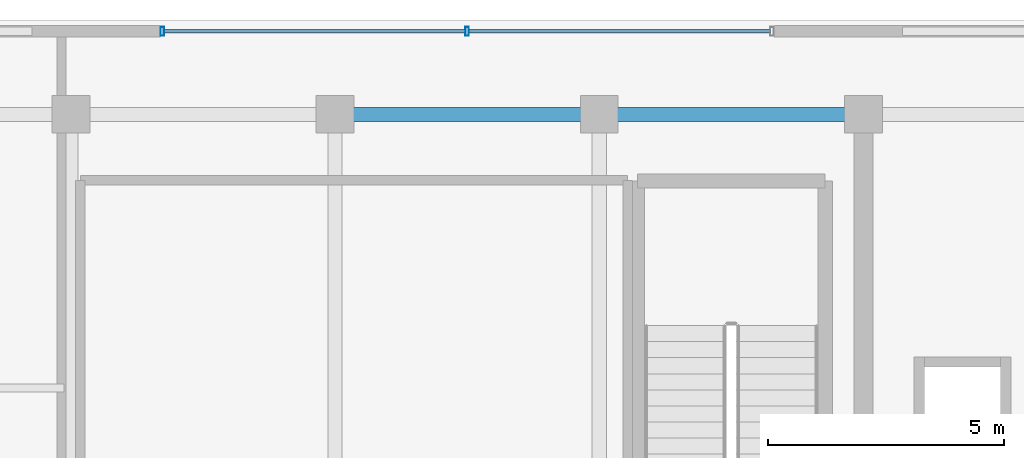
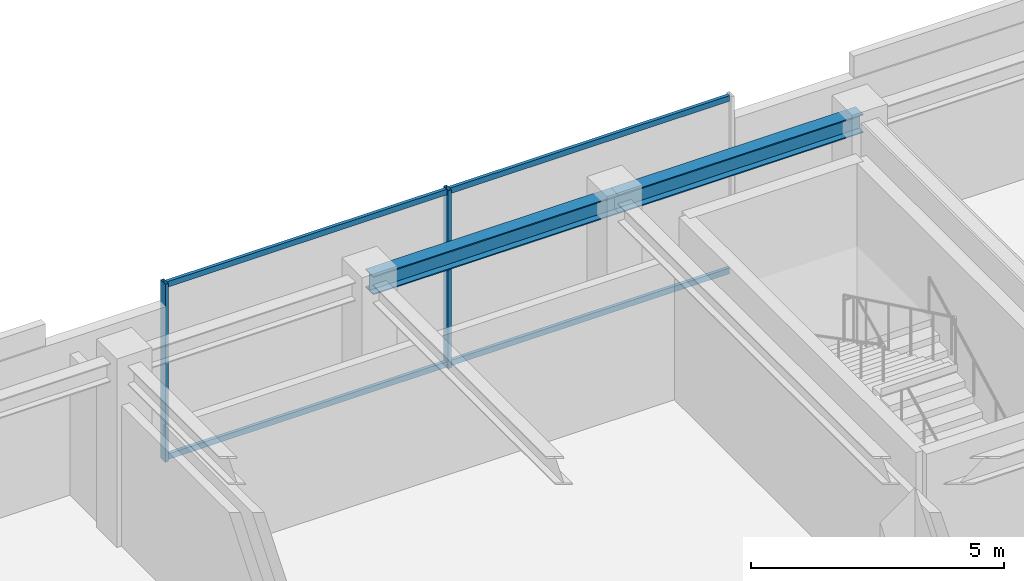
# One storey, part 12 of 18: 6 members, 2 beams, 1 element without a shape of its own.
"""IFC4 building model written with IfcOpenShell, lengths in metres."""

from ifc_helpers import new_model, si_unit, direction, frame, origin, origin_2d, place, context, subcontext, project, spatial, hollow_rectangle, i_section, extrude, source, transform, mapped, material, material_profile, profile_set, type_object, element, aggregate, save


model = new_model("IFC4")

# Units and contexts
model_context = context("Model", 3, precision=1e-05, world=origin(), true_north=direction((0.0, 1.0)))
body_context = subcontext(model_context, "Body", "Model", "MODEL_VIEW")
ifc_project = project(units=[si_unit("LENGTHUNIT", "METRE"), si_unit("AREAUNIT", "SQUARE_METRE"), si_unit("VOLUMEUNIT", "CUBIC_METRE"), si_unit("PLANEANGLEUNIT", "RADIAN"), si_unit("MASSUNIT", "GRAM", prefix="KILO")], contexts=[model_context])

# Site, building, storey
site_placement = place(None, origin())
site = spatial("IfcSite", under=ifc_project, at=site_placement, CompositionType="ELEMENT")
building_placement = place(site_placement, origin())
building = spatial("IfcBuilding", under=site, at=building_placement, Name="Nahalor Promenade Grand Hotel", CompositionType="ELEMENT")
storey_placement = place(building_placement, frame((0.0, 0.0, 361.64990234375)))
storey = spatial("IfcBuildingStorey", under=building, at=storey_placement, Name="L92", CompositionType="ELEMENT", Elevation=361.64990234375)

# Beams
ifc_material_1 = material(Name="Steel S355JR", Category="steel")
ifc_material_profile_1 = material_profile(ifc_material_1, i_section(OverallWidth=0.3, OverallDepth=0.45, WebThickness=0.014, FlangeThickness=0.026, at=origin_2d()), Name="HEB 450")
ifc_profile_set_1 = profile_set([ifc_material_profile_1], Name="Steel S355JR")
beam_type = type_object("IfcBeamType", Name="Beam-Girder-HEB450", PredefinedType="BEAM", material=ifc_profile_set_1)
shared_shape_1 = source(origin(), body_context, "Body", "SweptSolid", [
    extrude(i_section(OverallWidth=0.3, OverallDepth=0.45, WebThickness=0.014, FlangeThickness=0.026, at=origin_2d()), origin(), (0.0, 0.0, 1.0), 5.599853515625),
])
beam_1_placement = place(storey_placement, frame((2.800048828125, 17.0, 4.0751953125), z_axis=(1.0, 0.0, 0.0), x_axis=(0.0, 1.0, 0.0)))
element("IfcBeam", 1, at=beam_1_placement, inside=storey, type_object=beam_type, Name="BM-L92-GX-3-3", PredefinedType="BEAM", context=body_context, shape_type="MappedRepresentation", body=[
    mapped(shared_shape_1, transform((0.0, 0.0, 0.0), scale=1.0)),
])
shared_shape_2 = source(origin(), body_context, "Body", "SweptSolid", [
    extrude(i_section(OverallWidth=0.3, OverallDepth=0.45, WebThickness=0.014, FlangeThickness=0.026, at=origin_2d()), origin(), (0.0, 0.0, 1.0), 5.60009765625),
])
beam_2_placement = place(storey_placement, frame((-2.800048828125, 17.0, 4.0751953125), z_axis=(1.0, 0.0, 0.0), x_axis=(0.0, 1.0, 0.0)))
element("IfcBeam", 2, at=beam_2_placement, inside=storey, type_object=beam_type, Name="BM-L92-GX-3-2", PredefinedType="BEAM", context=body_context, shape_type="MappedRepresentation", body=[
    mapped(shared_shape_2, transform((0.0, 0.0, 0.0), scale=1.0)),
])

# Curtain wall, members
ifc_material_2 = material(Name="Anodised Bronze Aluminium EN AW-6063 T6", Category="aluminium")
curtain_wall_type = type_object("IfcCurtainWallType", Name="CW6 Crown Botanical Conservatory Curtain Wall", PredefinedType="USERDEFINED", material=ifc_material_2)
curtain_wall_placement = place(storey_placement, origin())
curtain_wall = element("IfcCurtainWall", 3, at=curtain_wall_placement, inside=storey, type_object=curtain_wall_type, Name="L92 Curtain Wall CW-L92-N", ObjectType="UNITISED_CURTAIN_WALL", PredefinedType="USERDEFINED")
ifc_material_profile_2 = material_profile(ifc_material_2, hollow_rectangle(XDim=0.075, YDim=0.135, WallThickness=0.004, at=origin_2d()), Name="CWT 75x135x4")
ifc_profile_set_2 = profile_set([ifc_material_profile_2], Name="Anodised Bronze Aluminium EN AW-6063 T6")
member_type_1 = type_object("IfcMemberType", Name="CWT6 Conservatory Transom 75x135", PredefinedType="USERDEFINED", material=ifc_profile_set_2)
shared_shape_3 = source(origin(), body_context, "Body", "SweptSolid", [
    extrude(hollow_rectangle(XDim=0.075, YDim=0.135, WallThickness=0.004, at=origin_2d()), origin(), (0.0, 0.0, 1.0), 6.387451171875),
])
member_1_placement = place(storey_placement, frame((-6.425048828125, 18.760009765625, 0.067626953125), z_axis=(1.0, 0.0, 0.0), x_axis=(0.0, 1.0, 0.0)))
member_1 = element("IfcMember", 4, at=member_1_placement, type_object=member_type_1, Name="CW-L92-N Transom 0-0", ObjectType="TRANSOM", PredefinedType="USERDEFINED", context=body_context, shape_type="MappedRepresentation", body=[
    mapped(shared_shape_3, transform((0.0, 0.0, 0.0), scale=1.0)),
])
member_2_placement = place(storey_placement, frame((-6.425048828125, 18.760009765625, 4.232666015625), z_axis=(1.0, 0.0, 0.0), x_axis=(0.0, 1.0, 0.0)))
member_2 = element("IfcMember", 5, at=member_2_placement, type_object=member_type_1, Name="CW-L92-N Transom 0-1", ObjectType="TRANSOM", PredefinedType="USERDEFINED", context=body_context, shape_type="MappedRepresentation", body=[
    mapped(shared_shape_3, transform((0.0, 0.0, 0.0), scale=1.0)),
])
member_3_placement = place(storey_placement, frame((0.03759765625, 18.760009765625, 0.067626953125), z_axis=(1.0, 0.0, 0.0), x_axis=(0.0, 1.0, 0.0)))
member_3 = element("IfcMember", 6, at=member_3_placement, type_object=member_type_1, Name="CW-L92-N Transom 1-0", ObjectType="TRANSOM", PredefinedType="USERDEFINED", context=body_context, shape_type="MappedRepresentation", body=[
    mapped(shared_shape_3, transform((0.0, 0.0, 0.0), scale=1.0)),
])
member_4_placement = place(storey_placement, frame((0.03759765625, 18.760009765625, 4.232666015625), z_axis=(1.0, 0.0, 0.0), x_axis=(0.0, 1.0, 0.0)))
member_4 = element("IfcMember", 7, at=member_4_placement, type_object=member_type_1, Name="CW-L92-N Transom 1-1", ObjectType="TRANSOM", PredefinedType="USERDEFINED", context=body_context, shape_type="MappedRepresentation", body=[
    mapped(shared_shape_3, transform((0.0, 0.0, 0.0), scale=1.0)),
])
ifc_material_profile_3 = material_profile(ifc_material_2, hollow_rectangle(XDim=0.075, YDim=0.19, WallThickness=0.005, at=origin_2d()), Name="CWM 75x190x5")
ifc_profile_set_3 = profile_set([ifc_material_profile_3], Name="Anodised Bronze Aluminium EN AW-6063 T6")
member_type_2 = type_object("IfcMemberType", Name="CWM6 Conservatory Bronze Mullion 75x190", PredefinedType="MULLION", material=ifc_profile_set_3)
shared_shape_4 = source(origin(), body_context, "Body", "SweptSolid", [
    extrude(hollow_rectangle(XDim=0.075, YDim=0.19, WallThickness=0.005, at=origin_2d()), origin(), (0.0, 0.0, 1.0), 4.300048828125),
])
member_5_placement = place(storey_placement, frame((-6.46240234375, 18.760009765625, 0.0), z_axis=(0.0, 0.0, 1.0), x_axis=(1.0, 0.0, 0.0)))
member_5 = element("IfcMember", 8, at=member_5_placement, type_object=member_type_2, Name="CW-L92-N Mullion 0", PredefinedType="MULLION", context=body_context, shape_type="MappedRepresentation", body=[
    mapped(shared_shape_4, transform((0.0, 0.0, 0.0), scale=1.0)),
])
member_6_placement = place(storey_placement, frame((0.0, 18.760009765625, 0.0), z_axis=(0.0, 0.0, 1.0), x_axis=(1.0, 0.0, 0.0)))
member_6 = element("IfcMember", 9, at=member_6_placement, type_object=member_type_2, Name="CW-L92-N Mullion 1", PredefinedType="MULLION", context=body_context, shape_type="MappedRepresentation", body=[
    mapped(shared_shape_4, transform((0.0, 0.0, 0.0), scale=1.0)),
])
aggregate(curtain_wall, [member_5, member_6, member_1, member_2, member_3, member_4])

save(model, "model.ifc")
